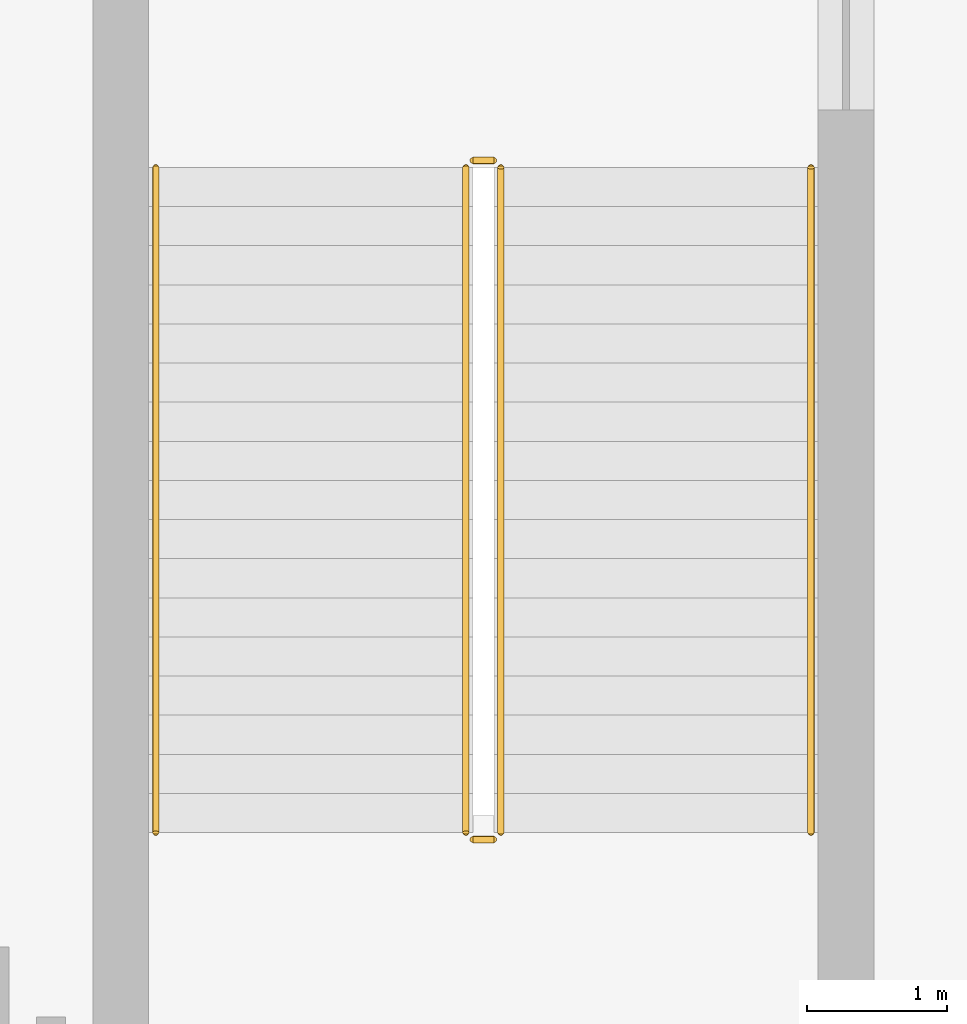
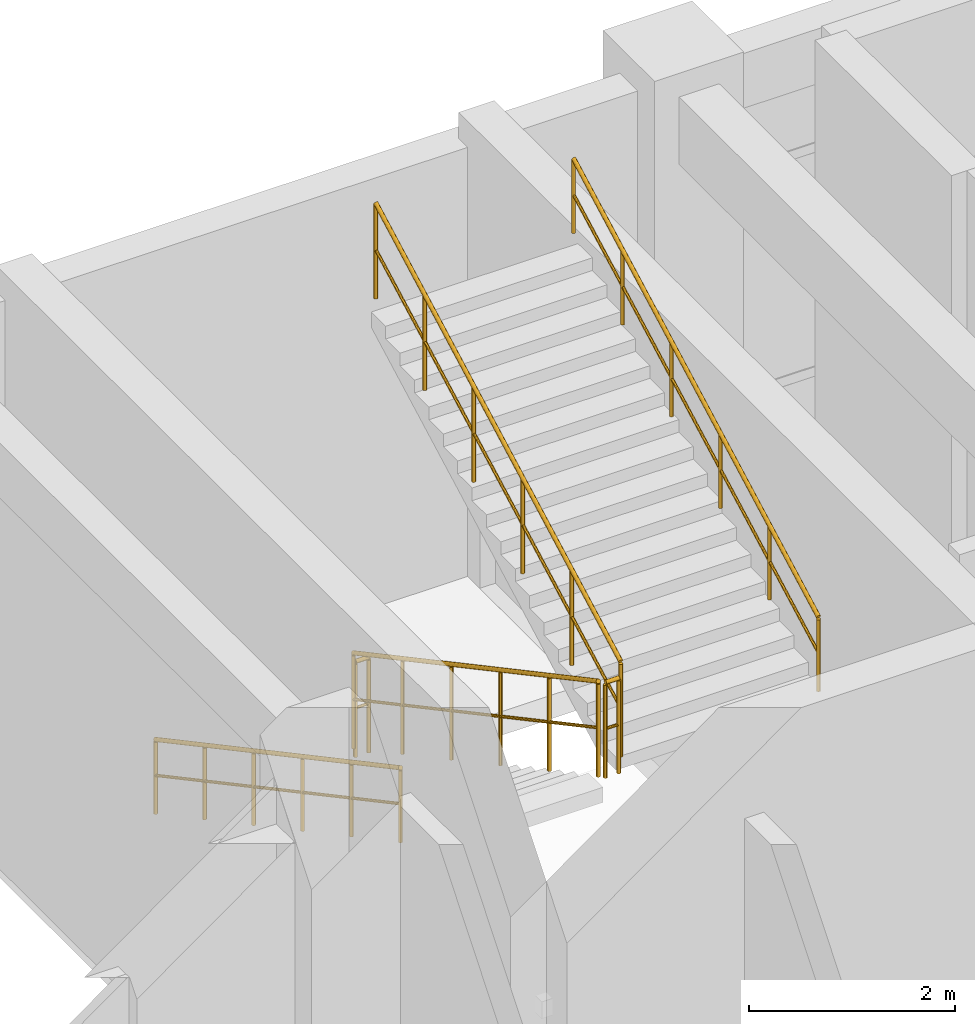
# One storey, part 109 of 114: 6 railings.
"""IFC4 building model written with IfcOpenShell, lengths in metres."""

from ifc_helpers import new_model, si_unit, derived_unit, direction, frame, origin, origin_2d, place, context, subcontext, project, spatial, circle, extrude, material, type_object, element, save


model = new_model("IFC4")

# Units and contexts
model_context = context("Model", 3, precision=1e-05, world=origin(), true_north=direction((0.0, 1.0)))
body_context = subcontext(model_context, "Body", "Model", "MODEL_VIEW")
ifc_project = project(units=[si_unit("LENGTHUNIT", "METRE"), si_unit("AREAUNIT", "SQUARE_METRE"), si_unit("VOLUMEUNIT", "CUBIC_METRE"), si_unit("PLANEANGLEUNIT", "RADIAN"), si_unit("MASSUNIT", "GRAM", prefix="KILO"), derived_unit("THERMALTRANSMITTANCEUNIT", [(si_unit("MASSUNIT", "GRAM", prefix="KILO"), 1), (si_unit("TIMEUNIT", "SECOND"), -3), (si_unit("THERMODYNAMICTEMPERATUREUNIT", "KELVIN"), -1)])], contexts=[model_context])

# Site, building, storey
site_placement = place(None, origin())
site = spatial("IfcSite", under=ifc_project, at=site_placement, CompositionType="ELEMENT")
building_placement = place(site_placement, origin())
building = spatial("IfcBuilding", under=site, at=building_placement, Name="Qinzheling Arcade Emporium", CompositionType="ELEMENT")
storey_placement = place(building_placement, frame((0.0, 0.0, 6.0)))
storey = spatial("IfcBuildingStorey", under=building, at=storey_placement, Name="L02", CompositionType="ELEMENT", Elevation=6.0)

# Railings
ifc_material_1 = material(Name="Galvanised powder-coated tubular steel", Category="steel")
railing_type_1 = type_object("IfcRailingType", Name="Painted Steel Stairwell Guard Railing 1150", PredefinedType="GUARDRAIL", material=ifc_material_1)
railing_1_placement = place(storey_placement, frame((38.570068359375, 71.47998046875, 0.14990234375)))
element("IfcRailing", 1, at=railing_1_placement, inside=storey, type_object=railing_type_1, Name="L02 ST03 stair guard 1", PredefinedType="GUARDRAIL", context=body_context, shape_type="SweptSolid", body=[
    extrude(circle(Radius=0.02392578125, at=origin_2d()), frame((0.0, 0.0, 1.1259765625), z_axis=(0.0, -0.881476609435, 0.47222768557), x_axis=(1.0, 0.0, 0.0)), (0.0, 0.0, 1.0), 5.400146484375),
    extrude(circle(Radius=0.01611328125, at=origin_2d()), frame((0.0, 0.0, 0.574951171875), z_axis=(0.0, -0.881476609435, 0.47222768557), x_axis=(1.0, 0.0, 0.0)), (0.0, 0.0, 1.0), 5.400146484375),
    extrude(circle(Radius=0.02099609375, at=origin_2d()), origin(), (0.0, 0.0, 1.0), 1.101806640625),
    extrude(circle(Radius=0.02099609375, at=origin_2d()), frame((0.0, -0.951904296875, 0.510009765625)), (0.0, 0.0, 1.0), 1.101806640625),
    extrude(circle(Radius=0.02099609375, at=origin_2d()), frame((0.0, -1.904052734375, 1.02001953125)), (0.0, 0.0, 1.0), 1.101806640625),
    extrude(circle(Radius=0.02099609375, at=origin_2d()), frame((0.0, -2.85595703125, 1.530029296875)), (0.0, 0.0, 1.0), 1.101806640625),
    extrude(circle(Radius=0.02099609375, at=origin_2d()), frame((0.0, -3.80810546875, 2.0400390625)), (0.0, 0.0, 1.0), 1.101806640625),
    extrude(circle(Radius=0.02099609375, at=origin_2d()), frame((0.0, -4.760009765625, 2.550048828125)), (0.0, 0.0, 1.0), 1.101806640625),
])
railing_2_placement = place(storey_placement, frame((38.6201171875, 66.669921875, 2.699951171875)))
element("IfcRailing", 2, at=railing_2_placement, inside=storey, type_object=railing_type_1, Name="L02 ST03 stair guard 2", PredefinedType="GUARDRAIL", context=body_context, shape_type="SweptSolid", body=[
    extrude(circle(Radius=0.02392578125, at=origin_2d()), frame((0.0, 0.0, 1.1259765625), z_axis=(1.0, 0.0, 0.0), x_axis=(0.0, 1.0, 0.0)), (0.0, 0.0, 1.0), 0.14990234375),
    extrude(circle(Radius=0.01611328125, at=origin_2d()), frame((0.0, 0.0, 0.574951171875), z_axis=(1.0, 0.0, 0.0), x_axis=(0.0, 1.0, 0.0)), (0.0, 0.0, 1.0), 0.14990234375),
    extrude(circle(Radius=0.02099609375, at=origin_2d()), origin(), (0.0, 0.0, 1.0), 1.101806640625),
    extrude(circle(Radius=0.02099609375, at=origin_2d()), frame((0.14990234375, 0.0, 0.0)), (0.0, 0.0, 1.0), 1.101806640625),
])
railing_3_placement = place(storey_placement, frame((38.820068359375, 66.719970703125, 2.85009765625)))
element("IfcRailing", 3, at=railing_3_placement, inside=storey, type_object=railing_type_1, Name="L02 ST03 stair guard 3", PredefinedType="GUARDRAIL", context=body_context, shape_type="SweptSolid", body=[
    extrude(circle(Radius=0.02392578125, at=origin_2d()), frame((0.0, 0.0, 1.1259765625), z_axis=(0.0, 0.881495428514, 0.472192555542), x_axis=(-1.0, 0.0, 0.0)), (0.0, 0.0, 1.0), 5.39990234375),
    extrude(circle(Radius=0.01611328125, at=origin_2d()), frame((0.0, 0.0, 0.574951171875), z_axis=(0.0, 0.881495428514, 0.472192555542), x_axis=(-1.0, 0.0, 0.0)), (0.0, 0.0, 1.0), 5.39990234375),
    extrude(circle(Radius=0.02099609375, at=origin_2d()), origin(), (0.0, 0.0, 1.0), 1.101806640625),
    extrude(circle(Radius=0.02099609375, at=origin_2d()), frame((0.0, 0.951904296875, 0.510009765625)), (0.0, 0.0, 1.0), 1.101806640625),
    extrude(circle(Radius=0.02099609375, at=origin_2d()), frame((0.0, 1.904052734375, 1.02001953125)), (0.0, 0.0, 1.0), 1.101806640625),
    extrude(circle(Radius=0.02099609375, at=origin_2d()), frame((0.0, 2.85595703125, 1.52978515625)), (0.0, 0.0, 1.0), 1.101806640625),
    extrude(circle(Radius=0.02099609375, at=origin_2d()), frame((0.0, 3.80810546875, 2.039794921875)), (0.0, 0.0, 1.0), 1.101806640625),
    extrude(circle(Radius=0.02099609375, at=origin_2d()), frame((0.0, 4.760009765625, 2.5498046875)), (0.0, 0.0, 1.0), 1.101806640625),
])
railing_4_placement = place(storey_placement, frame((38.6201171875, 71.530029296875, 0.0)))
element("IfcRailing", 4, at=railing_4_placement, inside=storey, type_object=railing_type_1, Name="L02 ST03 stair guard 4", PredefinedType="GUARDRAIL", context=body_context, shape_type="SweptSolid", body=[
    extrude(circle(Radius=0.02392578125, at=origin_2d()), frame((0.0, 0.0, 1.1259765625), z_axis=(1.0, 0.0, 0.0), x_axis=(0.0, 1.0, 0.0)), (0.0, 0.0, 1.0), 0.14990234375),
    extrude(circle(Radius=0.01611328125, at=origin_2d()), frame((0.0, 0.0, 0.574951171875), z_axis=(1.0, 0.0, 0.0), x_axis=(0.0, 1.0, 0.0)), (0.0, 0.0, 1.0), 0.14990234375),
    extrude(circle(Radius=0.02099609375, at=origin_2d()), origin(), (0.0, 0.0, 1.0), 1.101806640625),
    extrude(circle(Radius=0.02099609375, at=origin_2d()), frame((0.14990234375, 0.0, 0.0)), (0.0, 0.0, 1.0), 1.101806640625),
])
ifc_material_2 = material(Name="Brushed stainless steel 304", Category="steel")
railing_type_2 = type_object("IfcRailingType", Name="Stainless Steel Wall Handrail 900", PredefinedType="HANDRAIL", material=ifc_material_2)
railing_5_placement = place(storey_placement, frame((36.35009765625, 71.47998046875, 0.14990234375)))
element("IfcRailing", 5, at=railing_5_placement, inside=storey, type_object=railing_type_2, Name="L02 ST03 stair handrail 1", PredefinedType="HANDRAIL", context=body_context, shape_type="SweptSolid", body=[
    extrude(circle(Radius=0.02392578125, at=origin_2d()), frame((0.0, 0.0, 0.8759765625), z_axis=(0.0, -0.881476609435, 0.47222768557), x_axis=(1.0, 0.0, 0.0)), (0.0, 0.0, 1.0), 5.400146484375),
    extrude(circle(Radius=0.01611328125, at=origin_2d()), frame((0.0, 0.0, 0.449951171875), z_axis=(0.0, -0.881476609435, 0.47222768557), x_axis=(1.0, 0.0, 0.0)), (0.0, 0.0, 1.0), 5.400146484375),
    extrude(circle(Radius=0.02099609375, at=origin_2d()), origin(), (0.0, 0.0, 1.0), 0.851806640625),
    extrude(circle(Radius=0.02099609375, at=origin_2d()), frame((0.0, -0.951904296875, 0.510009765625)), (0.0, 0.0, 1.0), 0.851806640625),
    extrude(circle(Radius=0.02099609375, at=origin_2d()), frame((0.0, -1.904052734375, 1.02001953125)), (0.0, 0.0, 1.0), 0.851806640625),
    extrude(circle(Radius=0.02099609375, at=origin_2d()), frame((0.0, -2.85595703125, 1.530029296875)), (0.0, 0.0, 1.0), 0.851806640625),
    extrude(circle(Radius=0.02099609375, at=origin_2d()), frame((0.0, -3.80810546875, 2.0400390625)), (0.0, 0.0, 1.0), 0.851806640625),
    extrude(circle(Radius=0.02099609375, at=origin_2d()), frame((0.0, -4.760009765625, 2.550048828125)), (0.0, 0.0, 1.0), 0.851806640625),
])
railing_6_placement = place(storey_placement, frame((41.0400390625, 66.719970703125, 2.85009765625)))
element("IfcRailing", 6, at=railing_6_placement, inside=storey, type_object=railing_type_2, Name="L02 ST03 stair handrail 2", PredefinedType="HANDRAIL", context=body_context, shape_type="SweptSolid", body=[
    extrude(circle(Radius=0.02392578125, at=origin_2d()), frame((0.0, 0.0, 0.8759765625), z_axis=(0.0, 0.881495428514, 0.472192555542), x_axis=(-1.0, 0.0, 0.0)), (0.0, 0.0, 1.0), 5.39990234375),
    extrude(circle(Radius=0.01611328125, at=origin_2d()), frame((0.0, 0.0, 0.449951171875), z_axis=(0.0, 0.881495428514, 0.472192555542), x_axis=(-1.0, 0.0, 0.0)), (0.0, 0.0, 1.0), 5.39990234375),
    extrude(circle(Radius=0.02099609375, at=origin_2d()), origin(), (0.0, 0.0, 1.0), 0.851806640625),
    extrude(circle(Radius=0.02099609375, at=origin_2d()), frame((0.0, 0.951904296875, 0.510009765625)), (0.0, 0.0, 1.0), 0.851806640625),
    extrude(circle(Radius=0.02099609375, at=origin_2d()), frame((0.0, 1.904052734375, 1.02001953125)), (0.0, 0.0, 1.0), 0.851806640625),
    extrude(circle(Radius=0.02099609375, at=origin_2d()), frame((0.0, 2.85595703125, 1.52978515625)), (0.0, 0.0, 1.0), 0.851806640625),
    extrude(circle(Radius=0.02099609375, at=origin_2d()), frame((0.0, 3.80810546875, 2.039794921875)), (0.0, 0.0, 1.0), 0.851806640625),
    extrude(circle(Radius=0.02099609375, at=origin_2d()), frame((0.0, 4.760009765625, 2.5498046875)), (0.0, 0.0, 1.0), 0.851806640625),
])

save(model, "model.ifc")
